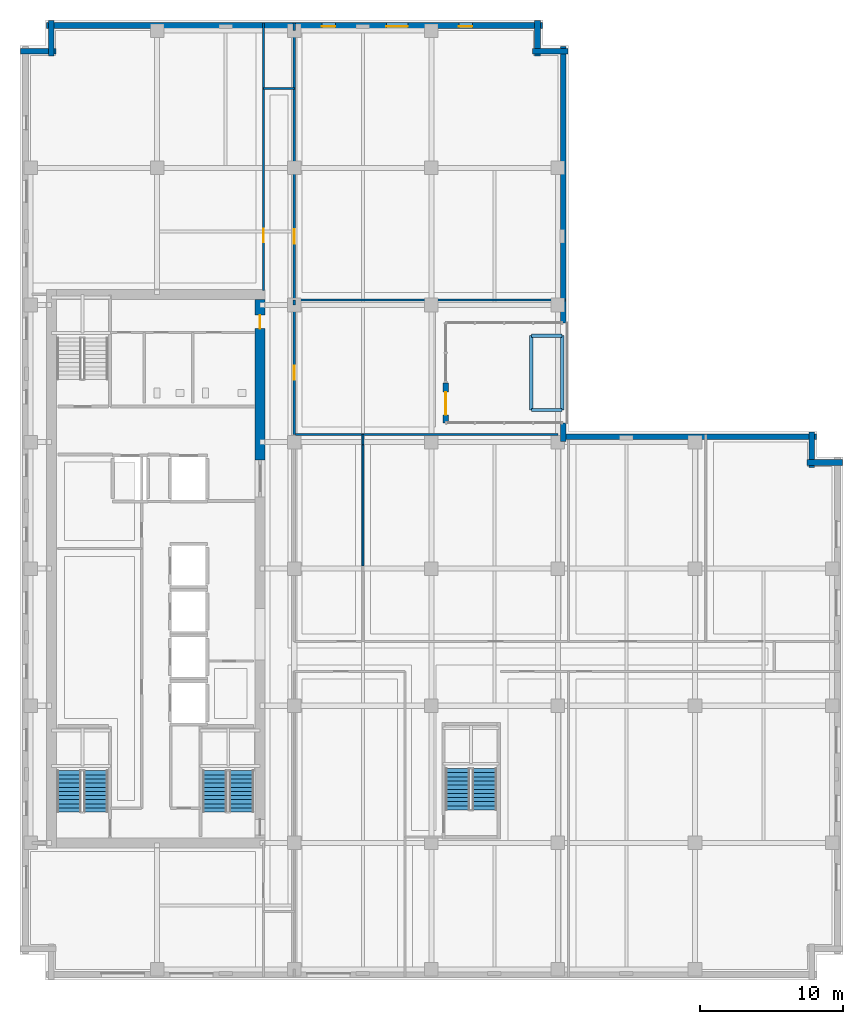
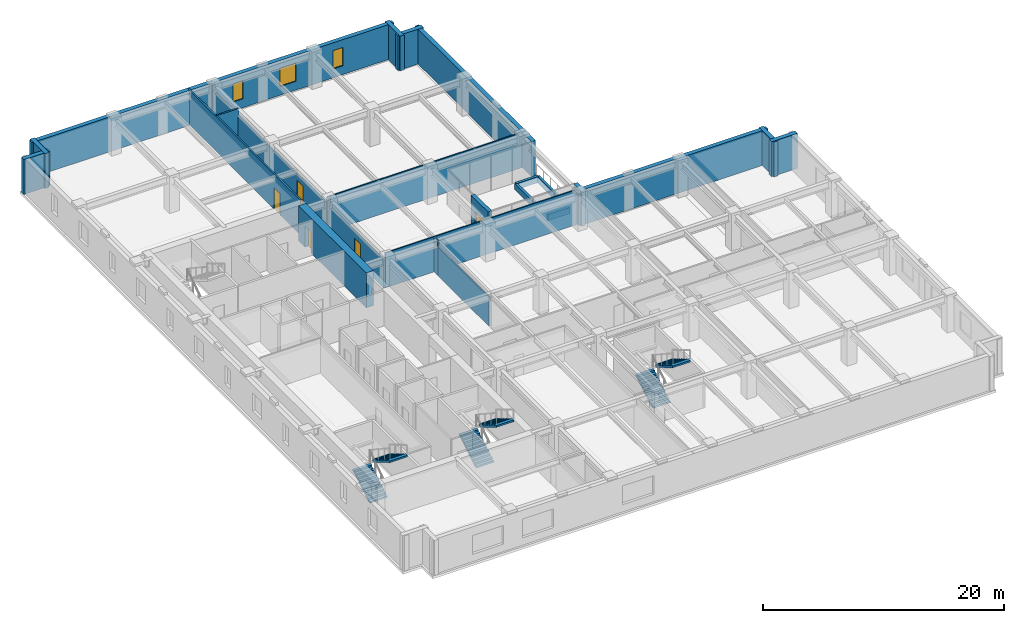
# One storey, part 7 of 16: 26 walls, 6 stair flights, 5 doors, 3 windows, 8 openings, 3 elements without a shape of their own.
"""IFC4 building model written with IfcOpenShell, lengths in metres."""

from ifc_helpers import new_model, si_unit, direction, frame, frame_2d, origin, place, context, subcontext, project, spatial, polyline, rectangle, outline, extrude, material, layer, layer_set, type_object, element, fill, aggregate, save


model = new_model("IFC4")

# Units and contexts
model_context = context("Model", 3, precision=1e-05, world=origin(), true_north=direction((0.0, 1.0)))
body_context = subcontext(model_context, "Body", "Model", "MODEL_VIEW")
ifc_project = project(units=[si_unit("LENGTHUNIT", "METRE"), si_unit("AREAUNIT", "SQUARE_METRE"), si_unit("VOLUMEUNIT", "CUBIC_METRE"), si_unit("PLANEANGLEUNIT", "RADIAN"), si_unit("MASSUNIT", "GRAM", prefix="KILO")], contexts=[model_context])

# Site, building, storey
site_placement = place(None, origin())
site = spatial("IfcSite", under=ifc_project, at=site_placement, CompositionType="ELEMENT")
building_placement = place(site_placement, origin())
building = spatial("IfcBuilding", under=site, at=building_placement, Name="Norrvale University Quadrangle", CompositionType="ELEMENT")
storey_placement = place(building_placement, frame((0.0, 0.0, 167.39990234375)))
storey = spatial("IfcBuildingStorey", under=building, at=storey_placement, Name="L42", CompositionType="ELEMENT", Elevation=167.39990234375)

# Wall, opening, door
ifc_material_1 = material(Name="Buff Norman Clay Brick Masonry", Category="masonry")
ifc_layer_1 = layer(ifc_material_1, 0.419921875, Name="Buff Norman Clay Brick Masonry")
ifc_layer_set_1 = layer_set([ifc_layer_1], Name="Buff Norman Clay Brick Masonry")
wall_type_1 = type_object("IfcWallType", Name="Wall Buff Brick 420", PredefinedType="SOLIDWALL", material=ifc_layer_set_1)
wall_1_placement = place(storey_placement, frame((29.800048828125, 39.0, 0.0), z_axis=(0.0, 0.0, 1.0), x_axis=(0.0, 1.0, 0.0)))
wall_1 = element("IfcWall", 1, at=wall_1_placement, inside=storey, type_object=wall_type_1, Name="Sky Garden Loggia Access Wall L42", PredefinedType="SOLIDWALL", context=body_context, shape_type="SweptSolid", body=[
    extrude(rectangle(XDim=2.800048828125, YDim=0.360107421875, at=frame_2d((1.39990234375, 0.0))), origin(), (0.0, 0.0, 1.0), 3.5400390625),
])
opening_1_placement = place(wall_1_placement, frame((0.550048828125, 0.0, 0.0)))
opening_1 = element("IfcOpeningElement", 2, at=opening_1_placement, cuts=wall_1, Name="Opening D09", PredefinedType="OPENING", context=body_context, shape_type="SweptSolid", body=[
    extrude(rectangle(XDim=1.60009765625, YDim=2.300048828125, at=frame_2d((0.800048828125, 1.14990234375))), frame((0.0, 0.192138671875, 0.0), z_axis=(0.0, -1.0, 0.0), x_axis=(1.0, 0.0, 0.0)), (0.0, 0.0, 1.0), 0.384033203125),
])
ifc_material_2 = material(Name="Thermally Broken Glazed Terrace Door")
door_type_1 = type_object("IfcDoorType", Name="Door Terrace 1600x2300", OperationType="DOUBLE_SWING_LEFT", PredefinedType="DOOR", material=ifc_material_2)
door_1_placement = place(opening_1_placement, frame((1.60009765625, 0.0, 0.0), z_axis=(0.0, 0.0, 1.0), x_axis=(-1.0, 0.0, 0.0)))
door_1 = element("IfcDoor", 3, at=door_1_placement, inside=storey, type_object=door_type_1, Name="Door Terrace 1600x2300 DR-L42-SKYG", OperationType="DOUBLE_SWING_LEFT", OverallHeight=2.300048828125, OverallWidth=1.60009765625, PredefinedType="DOOR", context=body_context, shape_type="SweptSolid", body=[
    extrude(rectangle(XDim=1.60009765625, YDim=2.300048828125, at=frame_2d((0.800048828125, 1.14990234375))), frame((0.0, 0.02490234375, 0.0), z_axis=(0.0, -1.0, 0.0), x_axis=(1.0, 0.0, 0.0)), (0.0, 0.0, 1.0), 0.050048828125),
])
fill(opening_1, door_1)

ifc_material_3 = material(Name="Concrete C60/75", Category="concrete")
ifc_layer_2 = layer(ifc_material_3, 0.699951171875, Name="Concrete C60/75")
ifc_layer_set_2 = layer_set([ifc_layer_2], Name="Concrete C60/75")
wall_type_2 = type_object("IfcWallType", Name="Wall Core 700", PredefinedType="SHEAR", material=ifc_layer_set_2)
wall_2_placement = place(storey_placement, frame((16.800048828125, 36.39990234375, 0.0), z_axis=(0.0, 0.0, 1.0), x_axis=(0.0, 1.0, 0.0)))
wall_2 = element("IfcWall", 4, at=wall_2_placement, inside=storey, type_object=wall_type_2, Name="Tower Core Shear Wall L42-E3", PredefinedType="SHEAR", context=body_context, shape_type="SweptSolid", body=[
    extrude(rectangle(XDim=11.25, YDim=0.699951171875, at=frame_2d((5.625, 0.0))), origin(), (0.0, 0.0, 1.0), 3.5400390625),
])
opening_2_placement = place(wall_2_placement, frame((9.199951171875, 0.0, 0.0)))
opening_2 = element("IfcOpeningElement", 5, at=opening_2_placement, cuts=wall_2, Name="Opening D07", PredefinedType="OPENING", context=body_context, shape_type="SweptSolid", body=[
    extrude(rectangle(XDim=0.949951171875, YDim=2.14990234375, at=frame_2d((0.47509765625, 1.074951171875))), frame((0.0, 0.362060546875, 0.0), z_axis=(0.0, -1.0, 0.0), x_axis=(1.0, 0.0, 0.0)), (0.0, 0.0, 1.0), 0.723876953125),
])
ifc_material_4 = material(Name="Solid-Core Maple Door", Category="wood")
door_type_2 = type_object("IfcDoorType", Name="Door Office 950x2150", OperationType="NOTDEFINED", PredefinedType="DOOR", material=ifc_material_4)
door_2_placement = place(opening_2_placement, origin())
door_2 = element("IfcDoor", 6, at=door_2_placement, inside=storey, type_object=door_type_2, Name="Door Office 950x2150 DR-L42-NECORR", OperationType="SINGLE_SWING_LEFT", OverallHeight=2.14990234375, OverallWidth=0.949951171875, PredefinedType="DOOR", context=body_context, shape_type="SweptSolid", body=[
    extrude(rectangle(XDim=0.949951171875, YDim=2.14990234375, at=frame_2d((0.47509765625, 1.074951171875))), frame((0.0, 0.02490234375, 0.0), z_axis=(0.0, -1.0, 0.0), x_axis=(1.0, 0.0, 0.0)), (0.0, 0.0, 1.0), 0.050048828125),
])
fill(opening_2, door_2)

# Walls
ifc_material_5 = material(Name="Standard Academic Gypsum Partition")
ifc_layer_3 = layer(ifc_material_5, 0.125, Name="Standard Academic Gypsum Partition")
ifc_layer_set_3 = layer_set([ifc_layer_3], Name="Standard Academic Gypsum Partition")
wall_type_3 = type_object("IfcWallType", Name="Wall Gypsum Academic 125", PredefinedType="PARTITIONING", material=ifc_layer_set_3)
wall_3_placement = place(storey_placement, frame((24.0, 28.9775390625, 0.0), z_axis=(0.0, 0.0, 1.0), x_axis=(0.0, 1.0, 0.0)))
element("IfcWall", 7, at=wall_3_placement, inside=storey, type_object=wall_type_3, Name="Interior Partition WL-L42-MEP01-B3", PredefinedType="PARTITIONING", context=body_context, shape_type="SweptSolid", body=[
    extrude(rectangle(XDim=8.494873046875, YDim=0.125, at=frame_2d((4.24755859375, 0.0))), origin(), (0.0, 0.0, 1.0), 2.99609375),
])
wall_4_placement = place(storey_placement, frame((24.0, 37.472412109375, 0.0), z_axis=(0.0, 0.0, 1.0), x_axis=(0.0, 1.0, 0.0)))
element("IfcWall", 8, at=wall_4_placement, inside=storey, type_object=wall_type_3, Name="Interior Partition WL-L42-MEP01-B4", PredefinedType="PARTITIONING", context=body_context, shape_type="SweptSolid", body=[
    extrude(rectangle(XDim=0.70751953125, YDim=0.125, at=frame_2d((0.353759765625, 0.0))), origin(), (0.0, 0.0, 1.0), 3.5400390625),
])
wall_5_placement = place(storey_placement, frame((19.280029296875, 38.179931640625, 0.0), z_axis=(0.0, 0.0, 1.0), x_axis=(1.0, 0.0, 0.0)))
element("IfcWall", 9, at=wall_5_placement, inside=storey, type_object=wall_type_3, Name="Interior Partition WL-L42-ME-N", PredefinedType="PARTITIONING", context=body_context, shape_type="SweptSolid", body=[
    extrude(rectangle(XDim=18.369873046875, YDim=0.125, at=frame_2d((9.18505859375, 0.0))), origin(), (0.0, 0.0, 1.0), 3.5400390625),
])
wall_6_placement = place(storey_placement, frame((19.199951171875, 47.60009765625, 0.0), z_axis=(0.0, 0.0, 1.0), x_axis=(1.0, 0.0, 0.0)))
element("IfcWall", 10, at=wall_6_placement, inside=storey, type_object=wall_type_3, Name="Interior Partition WL-L42-SG-NSEP", PredefinedType="PARTITIONING", context=body_context, shape_type="SweptSolid", body=[
    extrude(rectangle(XDim=18.97998046875, YDim=0.125, at=frame_2d((9.489990234375, 0.0))), origin(), (0.0, 0.0, 1.0), 3.5400390625),
])
ifc_material_6 = material(Name="Fire-Rated Gypsum Stud Partition")
ifc_layer_4 = layer(ifc_material_6, 0.14990234375, Name="Fire-Rated Gypsum Stud Partition")
ifc_layer_set_4 = layer_set([ifc_layer_4], Name="Fire-Rated Gypsum Stud Partition")
wall_type_4 = type_object("IfcWallType", Name="Wall Gypsum Corridor 150", PredefinedType="PARTITIONING", material=ifc_layer_set_4)
wall_7_placement = place(storey_placement, frame((17.050048828125, 62.39990234375, 0.0), z_axis=(0.0, 0.0, 1.0), x_axis=(1.0, 0.0, 0.0)))
element("IfcWall", 11, at=wall_7_placement, inside=storey, type_object=wall_type_4, Name="Interior Partition WL-L42-CSP-N", PredefinedType="PARTITIONING", context=body_context, shape_type="SweptSolid", body=[
    extrude(rectangle(XDim=2.14990234375, YDim=0.14990234375, at=frame_2d((1.074951171875, 0.0))), origin(), (0.0, 0.0, 1.0), 3.5400390625),
])

# Wall, opening, door
wall_8_placement = place(storey_placement, frame((19.199951171875, 38.179931640625, 0.0), z_axis=(0.0, 0.0, 1.0), x_axis=(0.0, 1.0, 0.0)))
wall_8 = element("IfcWall", 12, at=wall_8_placement, inside=storey, type_object=wall_type_4, Name="Interior Partition WL-L42-MNECW", PredefinedType="PARTITIONING", context=body_context, shape_type="SweptSolid", body=[
    extrude(rectangle(XDim=9.070068359375, YDim=0.14990234375, at=frame_2d((4.53515625, 0.0))), origin(), (0.0, 0.0, 1.0), 2.84521484375),
])
opening_3_placement = place(wall_8_placement, frame((3.85009765625, 0.0, 0.0)))
opening_3 = element("IfcOpeningElement", 13, at=opening_3_placement, cuts=wall_8, Name="Opening D07", PredefinedType="OPENING", context=body_context, shape_type="SweptSolid", body=[
    extrude(rectangle(XDim=0.949951171875, YDim=2.14990234375, at=frame_2d((0.47509765625, 1.074951171875))), frame((0.0, 0.0869140625, 0.0), z_axis=(0.0, -1.0, 0.0), x_axis=(1.0, 0.0, 0.0)), (0.0, 0.0, 1.0), 0.173828125),
])
door_3_placement = place(opening_3_placement, origin())
door_3 = element("IfcDoor", 14, at=door_3_placement, inside=storey, type_object=door_type_2, Name="Door Office 950x2150 DR-L42-MNE01", OperationType="SINGLE_SWING_RIGHT", OverallHeight=2.14990234375, OverallWidth=0.949951171875, PredefinedType="DOOR", context=body_context, shape_type="SweptSolid", body=[
    extrude(rectangle(XDim=0.949951171875, YDim=2.14990234375, at=frame_2d((0.47509765625, 1.074951171875))), frame((0.0, 0.02490234375, 0.0), z_axis=(0.0, -1.0, 0.0), x_axis=(1.0, 0.0, 0.0)), (0.0, 0.0, 1.0), 0.050048828125),
])
fill(opening_3, door_3)

# Wall
wall_9_placement = place(storey_placement, frame((19.199951171875, 47.25, 0.0), z_axis=(0.0, 0.0, 1.0), x_axis=(0.0, 1.0, 0.0)))
element("IfcWall", 15, at=wall_9_placement, inside=storey, type_object=wall_type_4, Name="Interior Partition WL-L42-MNECW-B2", PredefinedType="PARTITIONING", context=body_context, shape_type="SweptSolid", body=[
    extrude(rectangle(XDim=0.35009765625, YDim=0.14990234375, at=frame_2d((0.175048828125, 0.0))), origin(), (0.0, 0.0, 1.0), 3.5400390625),
])

# Wall, opening, door
wall_10_placement = place(storey_placement, frame((19.199951171875, 47.60009765625, 0.0), z_axis=(0.0, 0.0, 1.0), x_axis=(0.0, 1.0, 0.0)))
wall_10 = element("IfcWall", 16, at=wall_10_placement, inside=storey, type_object=wall_type_4, Name="Interior Partition WL-L42-NECW", PredefinedType="PARTITIONING", context=body_context, shape_type="SweptSolid", body=[
    extrude(rectangle(XDim=18.849853515625, YDim=0.14990234375, at=frame_2d((9.4248046875, 0.0))), origin(), (0.0, 0.0, 1.0), 2.84521484375),
])
opening_4_placement = place(wall_10_placement, frame((3.949951171875, 0.0, 0.0)))
opening_4 = element("IfcOpeningElement", 17, at=opening_4_placement, cuts=wall_10, Name="Opening D04", PredefinedType="OPENING", context=body_context, shape_type="SweptSolid", body=[
    extrude(rectangle(XDim=1.0, YDim=2.199951171875, at=frame_2d((0.5, 1.10009765625))), frame((0.0, 0.0869140625, 0.0), z_axis=(0.0, -1.0, 0.0), x_axis=(1.0, 0.0, 0.0)), (0.0, 0.0, 1.0), 0.173828125),
])
ifc_material_7 = material(Name="Solid-Core Oak Fire Door", Category="wood")
door_type_3 = type_object("IfcDoorType", Name="Door Corridor 1000x2200", OperationType="NOTDEFINED", PredefinedType="DOOR", material=ifc_material_7)
door_4_placement = place(opening_4_placement, origin())
door_4 = element("IfcDoor", 18, at=door_4_placement, inside=storey, type_object=door_type_3, Name="Door Corridor 1000x2200 DR-L42-NE01", OperationType="SINGLE_SWING_RIGHT", OverallHeight=2.199951171875, OverallWidth=1.0, PredefinedType="DOOR", context=body_context, shape_type="SweptSolid", body=[
    extrude(rectangle(XDim=1.0, YDim=2.199951171875, at=frame_2d((0.5, 1.10009765625))), frame((0.0, 0.02490234375, 0.0), z_axis=(0.0, -1.0, 0.0), x_axis=(1.0, 0.0, 0.0)), (0.0, 0.0, 1.0), 0.050048828125),
])
fill(opening_4, door_4)

# Wall
wall_11_placement = place(storey_placement, frame((19.199951171875, 66.449951171875, 0.0), z_axis=(0.0, 0.0, 1.0), x_axis=(0.0, 1.0, 0.0)))
element("IfcWall", 19, at=wall_11_placement, inside=storey, type_object=wall_type_4, Name="Interior Partition WL-L42-NECW-B2", PredefinedType="PARTITIONING", context=body_context, shape_type="SweptSolid", body=[
    extrude(rectangle(XDim=0.530029296875, YDim=0.14990234375, at=frame_2d((0.26513671875, 0.0))), origin(), (0.0, 0.0, 1.0), 3.5400390625),
])

# Wall, opening, door
wall_12_placement = place(storey_placement, frame((17.050048828125, 48.25, 0.0), z_axis=(0.0, 0.0, 1.0), x_axis=(0.0, 1.0, 0.0)))
wall_12 = element("IfcWall", 20, at=wall_12_placement, inside=storey, type_object=wall_type_4, Name="Interior Partition WL-L42-NWCW", PredefinedType="PARTITIONING", context=body_context, shape_type="SweptSolid", body=[
    extrude(rectangle(XDim=18.72998046875, YDim=0.14990234375, at=frame_2d((9.364990234375, 0.0))), origin(), (0.0, 0.0, 1.0), 3.5400390625),
])
opening_5_placement = place(wall_12_placement, frame((3.39990234375, 0.0, 0.0)))
opening_5 = element("IfcOpeningElement", 21, at=opening_5_placement, cuts=wall_12, Name="Opening D07", PredefinedType="OPENING", context=body_context, shape_type="SweptSolid", body=[
    extrude(rectangle(XDim=0.949951171875, YDim=2.14990234375, at=frame_2d((0.47509765625, 1.074951171875))), frame((0.0, 0.0869140625, 0.0), z_axis=(0.0, -1.0, 0.0), x_axis=(1.0, 0.0, 0.0)), (0.0, 0.0, 1.0), 0.173828125),
])
door_5_placement = place(opening_5_placement, origin())
door_5 = element("IfcDoor", 22, at=door_5_placement, inside=storey, type_object=door_type_2, Name="Door Office 950x2150 DR-L42-NW01", OperationType="SINGLE_SWING_RIGHT", OverallHeight=2.14990234375, OverallWidth=0.949951171875, PredefinedType="DOOR", context=body_context, shape_type="SweptSolid", body=[
    extrude(rectangle(XDim=0.949951171875, YDim=2.14990234375, at=frame_2d((0.47509765625, 1.074951171875))), frame((0.0, 0.02490234375, 0.0), z_axis=(0.0, -1.0, 0.0), x_axis=(1.0, 0.0, 0.0)), (0.0, 0.0, 1.0), 0.050048828125),
])
fill(opening_5, door_5)

# Walls
ifc_layer_5 = layer(ifc_material_1, 0.239990234375, Name="Buff Norman Clay Brick Masonry")
ifc_layer_set_5 = layer_set([ifc_layer_5], Name="Buff Norman Clay Brick Masonry")
wall_type_5 = type_object("IfcWallType", Name="Wall Planter 240", PredefinedType="USERDEFINED", material=ifc_layer_set_5)
for number, where, z_axis, x_axis, name in (
    (23, (35.800048828125, 39.89990234375, 0.0), (0.0, 0.0, 1.0), (0.0, 1.0, 0.0), "Sky Garden Planter Curb L42-W"),
    (24, (37.949951171875, 39.89990234375, 0.0), (0.0, 0.0, 1.0), (0.0, 1.0, 0.0), "Sky Garden Planter Curb L42-E"),
):
    element("IfcWall", number, at=place(storey_placement, frame(where, z_axis=z_axis, x_axis=x_axis)), inside=storey, type_object=wall_type_5, Name=name, ObjectType="PLANTER", PredefinedType="USERDEFINED", context=body_context, shape_type="SweptSolid", body=[
        extrude(rectangle(XDim=5.2001953125, YDim=0.239990234375, at=frame_2d((2.60009765625, 0.0))), origin(), (0.0, 0.0, 1.0), 0.6201171875),
    ])
for number, where, z_axis, x_axis, name in (
    (25, (35.800048828125, 39.89990234375, 0.0), (0.0, 0.0, 1.0), (1.0, 0.0, 0.0), "Sky Garden Planter Curb L42-S"),
    (26, (35.800048828125, 45.10009765625, 0.0), (0.0, 0.0, 1.0), (1.0, 0.0, 0.0), "Sky Garden Planter Curb L42-N"),
):
    element("IfcWall", number, at=place(storey_placement, frame(where, z_axis=z_axis, x_axis=x_axis)), inside=storey, type_object=wall_type_5, Name=name, ObjectType="PLANTER", PredefinedType="USERDEFINED", context=body_context, shape_type="SweptSolid", body=[
        extrude(rectangle(XDim=2.14990234375, YDim=0.239990234375, at=frame_2d((1.074951171875, 0.0))), origin(), (0.0, 0.0, 1.0), 0.6201171875),
    ])
ifc_material_8 = material(Name="Red Manganese Brick Masonry", Category="masonry")
ifc_layer_6 = layer(ifc_material_8, 0.39990234375, Name="Red Manganese Brick Masonry")
ifc_layer_set_6 = layer_set([ifc_layer_6], Name="Red Manganese Brick Masonry")
wall_type_6 = type_object("IfcWallType", Name="Wall Red Brick 400", PredefinedType="SOLIDWALL", material=ifc_layer_set_6)
wall_13_placement = place(storey_placement, frame((57.56005859375, 36.219970703125, 0.0), z_axis=(0.0, 0.0, 1.0), x_axis=(-1.0, 0.0, 0.0)))
element("IfcWall", 27, at=wall_13_placement, inside=storey, type_object=wall_type_6, Name="Exterior Brick Facade Wall L42-05.1", PredefinedType="SOLIDWALL", context=body_context, shape_type="SweptSolid", body=[
    extrude(rectangle(XDim=2.47998046875, YDim=0.39990234375, at=frame_2d((1.239990234375, 0.0))), origin(), (0.0, 0.0, 1.0), 3.5400390625),
])
wall_14_placement = place(storey_placement, frame((55.419921875, 35.8798828125, 0.0), z_axis=(0.0, 0.0, 1.0), x_axis=(0.0, 1.0, 0.0)))
element("IfcWall", 28, at=wall_14_placement, inside=storey, type_object=wall_type_6, Name="Exterior Brick Facade Wall L42-06.1", PredefinedType="SOLIDWALL", context=body_context, shape_type="SweptSolid", body=[
    extrude(rectangle(XDim=2.480224609375, YDim=0.39990234375, at=frame_2d((1.240234375, 0.0))), origin(), (0.0, 0.0, 1.0), 3.5400390625),
])
wall_15_placement = place(storey_placement, frame((55.760009765625, 38.02001953125, 0.0), z_axis=(0.0, 0.0, 1.0), x_axis=(-1.0, 0.0, 0.0)))
element("IfcWall", 29, at=wall_15_placement, inside=storey, type_object=wall_type_6, Name="Exterior Brick Facade Wall L42-07.1", PredefinedType="SOLIDWALL", context=body_context, shape_type="SweptSolid", body=[
    extrude(rectangle(XDim=18.080078125, YDim=0.39990234375, at=frame_2d((9.0400390625, 0.0))), origin(), (0.0, 0.0, 1.0), 3.5400390625),
])
wall_16_placement = place(storey_placement, frame((38.02001953125, 37.679931640625, 0.0), z_axis=(0.0, 0.0, 1.0), x_axis=(0.0, 1.0, 0.0)))
element("IfcWall", 30, at=wall_16_placement, inside=storey, type_object=wall_type_6, Name="Exterior Brick Facade Wall L42-08.1", PredefinedType="SOLIDWALL", context=body_context, shape_type="SweptSolid", body=[
    extrude(rectangle(XDim=1.320068359375, YDim=0.39990234375, at=frame_2d((0.66015625, 0.0))), origin(), (0.0, 0.0, 1.0), 3.5400390625),
])
wall_17_placement = place(storey_placement, frame((38.02001953125, 46.0, 0.0), z_axis=(0.0, 0.0, 1.0), x_axis=(0.0, 1.0, 0.0)))
element("IfcWall", 31, at=wall_17_placement, inside=storey, type_object=wall_type_6, Name="Exterior Brick Facade Wall L42-08.2", PredefinedType="SOLIDWALL", context=body_context, shape_type="SweptSolid", body=[
    extrude(rectangle(XDim=19.360107421875, YDim=0.39990234375, at=frame_2d((9.68017578125, 0.0))), origin(), (0.0, 0.0, 1.0), 3.5400390625),
])
wall_18_placement = place(storey_placement, frame((38.360107421875, 65.02001953125, 0.0), z_axis=(0.0, 0.0, 1.0), x_axis=(-1.0, 0.0, 0.0)))
element("IfcWall", 32, at=wall_18_placement, inside=storey, type_object=wall_type_6, Name="Exterior Brick Facade Wall L42-09.1", PredefinedType="SOLIDWALL", context=body_context, shape_type="SweptSolid", body=[
    extrude(rectangle(XDim=2.480224609375, YDim=0.39990234375, at=frame_2d((1.240234375, 0.0))), origin(), (0.0, 0.0, 1.0), 3.5400390625),
])
wall_19_placement = place(storey_placement, frame((36.219970703125, 64.679931640625, 0.0), z_axis=(0.0, 0.0, 1.0), x_axis=(0.0, 1.0, 0.0)))
element("IfcWall", 33, at=wall_19_placement, inside=storey, type_object=wall_type_6, Name="Exterior Brick Facade Wall L42-10.1", PredefinedType="SOLIDWALL", context=body_context, shape_type="SweptSolid", body=[
    extrude(rectangle(XDim=2.47998046875, YDim=0.39990234375, at=frame_2d((1.239990234375, 0.0))), origin(), (0.0, 0.0, 1.0), 3.5400390625),
])

# Wall, openings, windows
wall_20_placement = place(storey_placement, frame((36.56005859375, 66.820068359375, 0.0), z_axis=(0.0, 0.0, 1.0), x_axis=(-1.0, 0.0, 0.0)))
wall_20 = element("IfcWall", 34, at=wall_20_placement, inside=storey, type_object=wall_type_6, Name="Exterior Brick Facade Wall L42-11.1", PredefinedType="SOLIDWALL", context=body_context, shape_type="SweptSolid", body=[
    extrude(rectangle(XDim=34.719970703125, YDim=0.39990234375, at=frame_2d((17.35986328125, 0.0))), origin(), (0.0, 0.0, 1.0), 3.5400390625),
])
opening_6_placement = place(wall_20_placement, frame((4.885009765625, 0.0, 0.89990234375)))
opening_6 = element("IfcOpeningElement", 35, at=opening_6_placement, cuts=wall_20, Name="Opening W04", PredefinedType="OPENING", context=body_context, shape_type="SweptSolid", body=[
    extrude(rectangle(XDim=0.949951171875, YDim=1.85009765625, at=frame_2d((0.47509765625, 0.925048828125))), frame((0.0, 0.2119140625, 0.0), z_axis=(0.0, -1.0, 0.0), x_axis=(1.0, 0.0, 0.0)), (0.0, 0.0, 1.0), 0.423828125),
])
opening_7_placement = place(wall_20_placement, frame((9.409912109375, 0.0, 0.89990234375)))
opening_7 = element("IfcOpeningElement", 36, at=opening_7_placement, cuts=wall_20, Name="Opening W03", PredefinedType="OPENING", context=body_context, shape_type="SweptSolid", body=[
    extrude(rectangle(XDim=1.5, YDim=1.85009765625, at=frame_2d((0.75, 0.925048828125))), frame((0.0, 0.2119140625, 0.0), z_axis=(0.0, -1.0, 0.0), x_axis=(1.0, 0.0, 0.0)), (0.0, 0.0, 1.0), 0.423828125),
])
opening_8_placement = place(wall_20_placement, frame((14.485107421875, 0.0, 0.89990234375)))
opening_8 = element("IfcOpeningElement", 37, at=opening_8_placement, cuts=wall_20, Name="Opening W04", PredefinedType="OPENING", context=body_context, shape_type="SweptSolid", body=[
    extrude(rectangle(XDim=0.949951171875, YDim=1.85009765625, at=frame_2d((0.47509765625, 0.925048828125))), frame((0.0, 0.2119140625, 0.0), z_axis=(0.0, -1.0, 0.0), x_axis=(1.0, 0.0, 0.0)), (0.0, 0.0, 1.0), 0.423828125),
])
ifc_material_9 = material(Name="Triple Low-E Argon Glazing", Category="glass")
window_type_1 = type_object("IfcWindowType", Name="Window Narrow Pier 950x2300", PartitioningType="SINGLE_PANEL", PredefinedType="WINDOW", material=ifc_material_9)
window_1_placement = place(opening_6_placement, origin())
window_1 = element("IfcWindow", 38, at=window_1_placement, inside=storey, type_object=window_type_1, Name="Window Narrow Pier 950x2300 WIN-L42-E11-1-01", OverallHeight=1.85009765625, OverallWidth=0.949951171875, PartitioningType="SINGLE_PANEL", PredefinedType="WINDOW", context=body_context, shape_type="SweptSolid", body=[
    extrude(rectangle(XDim=0.949951171875, YDim=1.85009765625, at=frame_2d((0.47509765625, 0.925048828125))), frame((0.0, 0.110107421875, 0.0), z_axis=(0.0, -1.0, 0.0), x_axis=(1.0, 0.0, 0.0)), (0.0, 0.0, 1.0), 0.06005859375),
])
fill(opening_6, window_1)
window_2_placement = place(opening_8_placement, origin())
window_2 = element("IfcWindow", 39, at=window_2_placement, inside=storey, type_object=window_type_1, Name="Window Narrow Pier 950x2300 WIN-L42-E11-1-03", OverallHeight=1.85009765625, OverallWidth=0.949951171875, PartitioningType="SINGLE_PANEL", PredefinedType="WINDOW", context=body_context, shape_type="SweptSolid", body=[
    extrude(rectangle(XDim=0.949951171875, YDim=1.85009765625, at=frame_2d((0.47509765625, 0.925048828125))), frame((0.0, 0.110107421875, 0.0), z_axis=(0.0, -1.0, 0.0), x_axis=(1.0, 0.0, 0.0)), (0.0, 0.0, 1.0), 0.06005859375),
])
fill(opening_8, window_2)
window_type_2 = type_object("IfcWindowType", Name="Window Studio 1500x2300", PartitioningType="DOUBLE_PANEL_VERTICAL", PredefinedType="WINDOW", material=ifc_material_9)
window_3_placement = place(opening_7_placement, origin())
window_3 = element("IfcWindow", 40, at=window_3_placement, inside=storey, type_object=window_type_2, Name="Window Studio 1500x2300 WIN-L42-E11-1-02", OverallHeight=1.85009765625, OverallWidth=1.5, PartitioningType="DOUBLE_PANEL_VERTICAL", PredefinedType="WINDOW", context=body_context, shape_type="SweptSolid", body=[
    extrude(rectangle(XDim=1.5, YDim=1.85009765625, at=frame_2d((0.75, 0.925048828125))), frame((0.0, 0.110107421875, 0.0), z_axis=(0.0, -1.0, 0.0), x_axis=(1.0, 0.0, 0.0)), (0.0, 0.0, 1.0), 0.06005859375),
])
fill(opening_7, window_3)

# Walls
for number, where, z_axis, x_axis, name in (
    (41, (2.179931640625, 67.159912109375, 0.0), (0.0, 0.0, 1.0), (0.0, -1.0, 0.0), "Exterior Brick Facade Wall L42-12.1"),
    (42, (2.52001953125, 65.02001953125, 0.0), (0.0, 0.0, 1.0), (-1.0, 0.0, 0.0), "Exterior Brick Facade Wall L42-13.1"),
):
    element("IfcWall", number, at=place(storey_placement, frame(where, z_axis=z_axis, x_axis=x_axis)), inside=storey, type_object=wall_type_6, Name=name, PredefinedType="SOLIDWALL", context=body_context, shape_type="SweptSolid", body=[
        extrude(rectangle(XDim=2.47998046875, YDim=0.39990234375, at=frame_2d((1.239990234375, 0.0))), origin(), (0.0, 0.0, 1.0), 3.5400390625),
    ])

# Stair, stair flights
ifc_material_10 = material(Name="Concrete C40/50", Category="concrete")
stair_type = type_object("IfcStairType", Name="Stair Tower Typ 3800", PredefinedType="TWO_STRAIGHT_RUN_STAIR", material=ifc_material_10)
stair_1_placement = place(storey_placement, origin())
stair_1 = element("IfcStair", 43, at=stair_1_placement, inside=storey, type_object=stair_type, Name="Exit Stair ST-01 L42", PredefinedType="TWO_STRAIGHT_RUN_STAIR")
stair_flight_type = type_object("IfcStairFlightType", Name="Flight Typ 1500", PredefinedType="STRAIGHT", material=ifc_material_10)
stair_flight_1_placement = place(storey_placement, frame((3.429931640625, 11.75, 0.0), z_axis=(0.0, 0.0, 1.0), x_axis=(0.0, 1.0, 0.0)))
stair_flight_1 = element("IfcStairFlight", 44, at=stair_flight_1_placement, type_object=stair_flight_type, Name="Exit Stair ST-01 L42 Lower Flight", NumberOfRisers=11, NumberOfTreads=10, PredefinedType="STRAIGHT", RiserHeight=0.172727, TreadLength=0.29, context=body_context, shape_type="SweptSolid", body=[
    extrude(outline(polyline([(0.0, 0.0), (0.0, 0.172607421875), (0.2900390625, 0.172607421875), (0.2900390625, 0.345458984375), (0.580078125, 0.345458984375), (0.580078125, 0.51806640625), (0.8701171875, 0.51806640625), (0.8701171875, 0.69091796875), (1.159912109375, 0.69091796875), (1.159912109375, 0.863525390625), (1.449951171875, 0.863525390625), (1.449951171875, 1.036376953125), (1.739990234375, 1.036376953125), (1.739990234375, 1.208984375), (2.030029296875, 1.208984375), (2.030029296875, 1.3818359375), (2.320068359375, 1.3818359375), (2.320068359375, 1.554443359375), (2.610107421875, 1.554443359375), (2.610107421875, 1.727294921875), (2.89990234375, 1.727294921875), (2.89990234375, 1.89990234375), (2.89990234375, 1.552734375), (0.29296875, 0.0), (0.0, 0.0)])), frame((0.0, 0.83984375, 0.0), z_axis=(0.0, -1.0, 0.0), x_axis=(1.0, 0.0, 0.0)), (0.0, 0.0, 1.0), 1.679931640625),
])
stair_flight_2_placement = place(storey_placement, frame((5.320068359375, 14.64990234375, 1.900146484375), z_axis=(0.0, 0.0, 1.0), x_axis=(0.0, -1.0, 0.0)))
stair_flight_2 = element("IfcStairFlight", 45, at=stair_flight_2_placement, type_object=stair_flight_type, Name="Exit Stair ST-01 L42 Upper Flight", NumberOfRisers=11, NumberOfTreads=10, PredefinedType="STRAIGHT", RiserHeight=0.172727, TreadLength=0.29, context=body_context, shape_type="SweptSolid", body=[
    extrude(outline(polyline([(0.0, 0.0), (0.0, 0.172607421875), (0.2900390625, 0.172607421875), (0.2900390625, 0.345458984375), (0.580078125, 0.345458984375), (0.580078125, 0.51806640625), (0.8701171875, 0.51806640625), (0.8701171875, 0.69091796875), (1.159912109375, 0.69091796875), (1.159912109375, 0.863525390625), (1.449951171875, 0.863525390625), (1.449951171875, 1.036376953125), (1.739990234375, 1.036376953125), (1.739990234375, 1.208984375), (2.030029296875, 1.208984375), (2.030029296875, 1.3818359375), (2.320068359375, 1.3818359375), (2.320068359375, 1.554443359375), (2.610107421875, 1.554443359375), (2.610107421875, 1.727294921875), (2.89990234375, 1.727294921875), (2.89990234375, 1.89990234375), (2.89990234375, 1.552734375), (0.29296875, 0.0), (0.0, 0.0)])), frame((0.0, 0.83984375, 0.0), z_axis=(0.0, -1.0, 0.0), x_axis=(1.0, 0.0, 0.0)), (0.0, 0.0, 1.0), 1.679931640625),
])
aggregate(stair_1, [stair_flight_1, stair_flight_2])

stair_2_placement = place(storey_placement, origin())
stair_2 = element("IfcStair", 46, at=stair_2_placement, inside=storey, type_object=stair_type, Name="Exit Stair ST-03 L42", PredefinedType="TWO_STRAIGHT_RUN_STAIR")
stair_flight_3_placement = place(storey_placement, frame((13.6298828125, 11.75, 0.0), z_axis=(0.0, 0.0, 1.0), x_axis=(0.0, 1.0, 0.0)))
stair_flight_3 = element("IfcStairFlight", 47, at=stair_flight_3_placement, type_object=stair_flight_type, Name="Exit Stair ST-03 L42 Lower Flight", NumberOfRisers=11, NumberOfTreads=10, PredefinedType="STRAIGHT", RiserHeight=0.172727, TreadLength=0.29, context=body_context, shape_type="SweptSolid", body=[
    extrude(outline(polyline([(0.0, 0.0), (0.0, 0.172607421875), (0.2900390625, 0.172607421875), (0.2900390625, 0.345458984375), (0.580078125, 0.345458984375), (0.580078125, 0.51806640625), (0.8701171875, 0.51806640625), (0.8701171875, 0.69091796875), (1.159912109375, 0.69091796875), (1.159912109375, 0.863525390625), (1.449951171875, 0.863525390625), (1.449951171875, 1.036376953125), (1.739990234375, 1.036376953125), (1.739990234375, 1.208984375), (2.030029296875, 1.208984375), (2.030029296875, 1.3818359375), (2.320068359375, 1.3818359375), (2.320068359375, 1.554443359375), (2.610107421875, 1.554443359375), (2.610107421875, 1.727294921875), (2.89990234375, 1.727294921875), (2.89990234375, 1.89990234375), (2.89990234375, 1.552734375), (0.29296875, 0.0), (0.0, 0.0)])), frame((0.0, 0.83984375, 0.0), z_axis=(0.0, -1.0, 0.0), x_axis=(1.0, 0.0, 0.0)), (0.0, 0.0, 1.0), 1.679931640625),
])
stair_flight_4_placement = place(storey_placement, frame((15.52001953125, 14.64990234375, 1.900146484375), z_axis=(0.0, 0.0, 1.0), x_axis=(0.0, -1.0, 0.0)))
stair_flight_4 = element("IfcStairFlight", 48, at=stair_flight_4_placement, type_object=stair_flight_type, Name="Exit Stair ST-03 L42 Upper Flight", NumberOfRisers=11, NumberOfTreads=10, PredefinedType="STRAIGHT", RiserHeight=0.172727, TreadLength=0.29, context=body_context, shape_type="SweptSolid", body=[
    extrude(outline(polyline([(0.0, 0.0), (0.0, 0.172607421875), (0.2900390625, 0.172607421875), (0.2900390625, 0.345458984375), (0.580078125, 0.345458984375), (0.580078125, 0.51806640625), (0.8701171875, 0.51806640625), (0.8701171875, 0.69091796875), (1.159912109375, 0.69091796875), (1.159912109375, 0.863525390625), (1.449951171875, 0.863525390625), (1.449951171875, 1.036376953125), (1.739990234375, 1.036376953125), (1.739990234375, 1.208984375), (2.030029296875, 1.208984375), (2.030029296875, 1.3818359375), (2.320068359375, 1.3818359375), (2.320068359375, 1.554443359375), (2.610107421875, 1.554443359375), (2.610107421875, 1.727294921875), (2.89990234375, 1.727294921875), (2.89990234375, 1.89990234375), (2.89990234375, 1.552734375), (0.29296875, 0.0), (0.0, 0.0)])), frame((0.0, 0.83984375, 0.0), z_axis=(0.0, -1.0, 0.0), x_axis=(1.0, 0.0, 0.0)), (0.0, 0.0, 1.0), 1.679931640625),
])
aggregate(stair_2, [stair_flight_3, stair_flight_4])

stair_3_placement = place(storey_placement, origin())
stair_3 = element("IfcStair", 49, at=stair_3_placement, inside=storey, type_object=stair_type, Name="Exit Stair ST-04 L42", PredefinedType="TWO_STRAIGHT_RUN_STAIR")
stair_flight_5_placement = place(storey_placement, frame((30.6298828125, 11.89990234375, 0.0), z_axis=(0.0, 0.0, 1.0), x_axis=(0.0, 1.0, 0.0)))
stair_flight_5 = element("IfcStairFlight", 50, at=stair_flight_5_placement, type_object=stair_flight_type, Name="Exit Stair ST-04 L42 Lower Flight", NumberOfRisers=11, NumberOfTreads=10, PredefinedType="STRAIGHT", RiserHeight=0.172727, TreadLength=0.29, context=body_context, shape_type="SweptSolid", body=[
    extrude(outline(polyline([(0.0, 0.0), (0.0, 0.172607421875), (0.2900390625, 0.172607421875), (0.2900390625, 0.345458984375), (0.580078125, 0.345458984375), (0.580078125, 0.51806640625), (0.8701171875, 0.51806640625), (0.8701171875, 0.69091796875), (1.159912109375, 0.69091796875), (1.159912109375, 0.863525390625), (1.449951171875, 0.863525390625), (1.449951171875, 1.036376953125), (1.739990234375, 1.036376953125), (1.739990234375, 1.208984375), (2.030029296875, 1.208984375), (2.030029296875, 1.3818359375), (2.320068359375, 1.3818359375), (2.320068359375, 1.554443359375), (2.610107421875, 1.554443359375), (2.610107421875, 1.727294921875), (2.89990234375, 1.727294921875), (2.89990234375, 1.89990234375), (2.89990234375, 1.552734375), (0.29296875, 0.0), (0.0, 0.0)])), frame((0.0, 0.83984375, 0.0), z_axis=(0.0, -1.0, 0.0), x_axis=(1.0, 0.0, 0.0)), (0.0, 0.0, 1.0), 1.679931640625),
])
stair_flight_6_placement = place(storey_placement, frame((32.52001953125, 14.800048828125, 1.900146484375), z_axis=(0.0, 0.0, 1.0), x_axis=(0.0, -1.0, 0.0)))
stair_flight_6 = element("IfcStairFlight", 51, at=stair_flight_6_placement, type_object=stair_flight_type, Name="Exit Stair ST-04 L42 Upper Flight", NumberOfRisers=11, NumberOfTreads=10, PredefinedType="STRAIGHT", RiserHeight=0.172727, TreadLength=0.29, context=body_context, shape_type="SweptSolid", body=[
    extrude(outline(polyline([(0.0, 0.0), (0.0, 0.172607421875), (0.2900390625, 0.172607421875), (0.2900390625, 0.345458984375), (0.580078125, 0.345458984375), (0.580078125, 0.51806640625), (0.8701171875, 0.51806640625), (0.8701171875, 0.69091796875), (1.159912109375, 0.69091796875), (1.159912109375, 0.863525390625), (1.449951171875, 0.863525390625), (1.449951171875, 1.036376953125), (1.739990234375, 1.036376953125), (1.739990234375, 1.208984375), (2.030029296875, 1.208984375), (2.030029296875, 1.3818359375), (2.320068359375, 1.3818359375), (2.320068359375, 1.554443359375), (2.610107421875, 1.554443359375), (2.610107421875, 1.727294921875), (2.89990234375, 1.727294921875), (2.89990234375, 1.89990234375), (2.89990234375, 1.552734375), (0.29296875, 0.0), (0.0, 0.0)])), frame((0.0, 0.83984375, 0.0), z_axis=(0.0, -1.0, 0.0), x_axis=(1.0, 0.0, 0.0)), (0.0, 0.0, 1.0), 1.679931640625),
])
aggregate(stair_3, [stair_flight_5, stair_flight_6])

save(model, "model.ifc")
